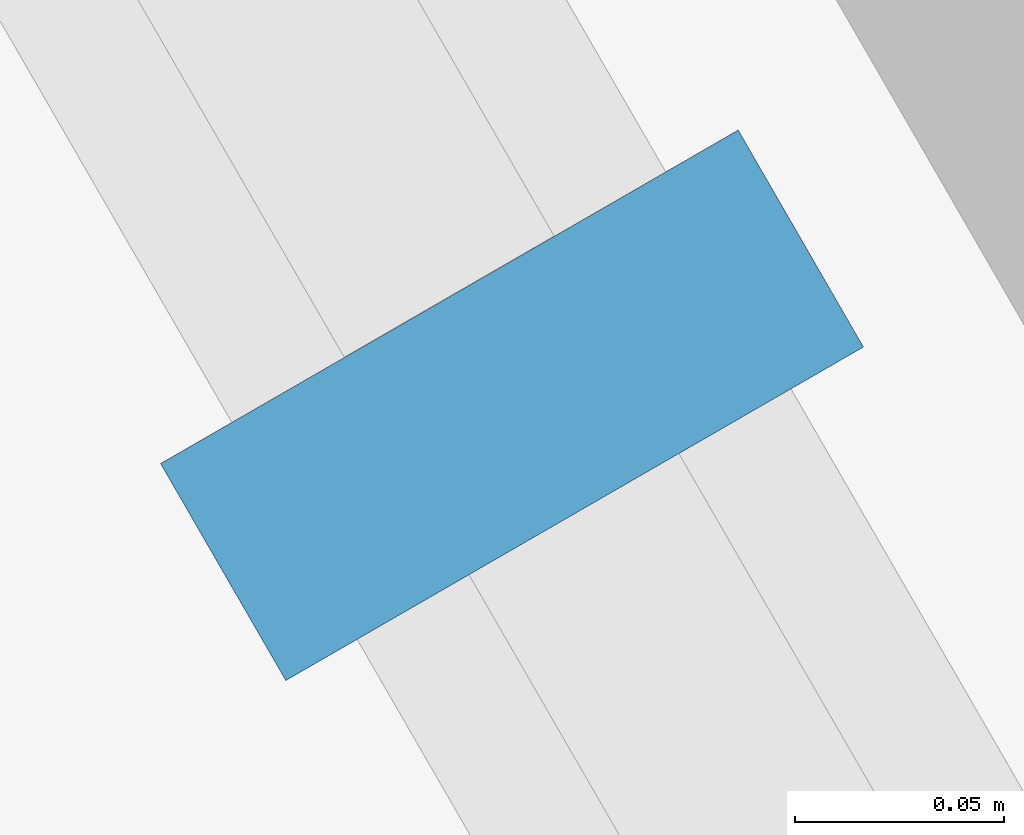
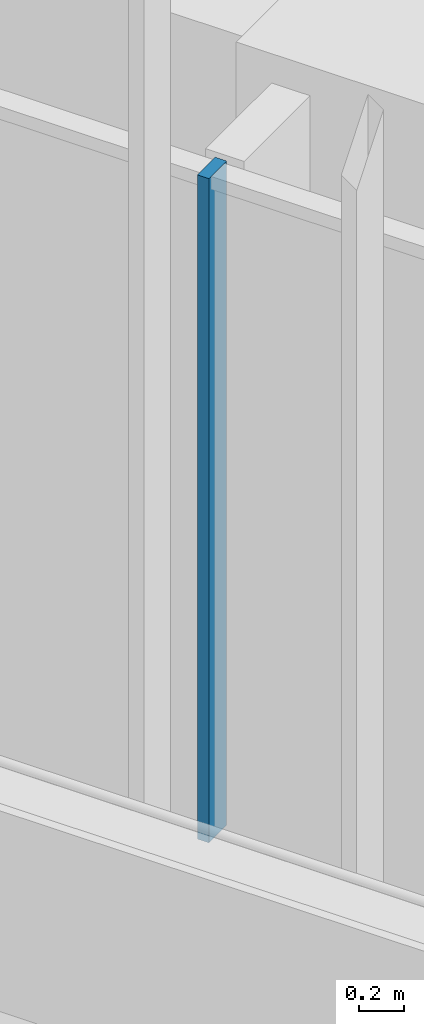
# One storey, part 20 of 127: 1 member, 1 element without a shape of its own.
"""IFC4 building model written with IfcOpenShell, lengths in metres."""

from ifc_helpers import new_model, si_unit, direction, frame, origin, origin_2d, place, context, subcontext, project, spatial, rectangle, extrude, material, material_profile, profile_set, type_object, element, aggregate, save


model = new_model("IFC4")

# Units and contexts
model_context = context("Model", 3, precision=1e-05, world=origin(), true_north=direction((0.0, 1.0)))
body_context = subcontext(model_context, "Body", "Model", "MODEL_VIEW")
ifc_project = project(units=[si_unit("LENGTHUNIT", "METRE"), si_unit("AREAUNIT", "SQUARE_METRE"), si_unit("VOLUMEUNIT", "CUBIC_METRE"), si_unit("PLANEANGLEUNIT", "RADIAN"), si_unit("MASSUNIT", "GRAM", prefix="KILO")], contexts=[model_context])

# Site, building, storey
site_placement = place(None, origin())
site = spatial("IfcSite", under=ifc_project, at=site_placement, CompositionType="ELEMENT")
building_placement = place(site_placement, origin())
building = spatial("IfcBuilding", under=site, at=building_placement, Name="Sandreach Pilgrim Tower", CompositionType="ELEMENT")
storey_placement = place(building_placement, frame((0.0, 0.0, 257.0)))
storey = spatial("IfcBuildingStorey", under=building, at=storey_placement, Name="L64", CompositionType="ELEMENT", Elevation=257.0)

# Curtain wall, member
ifc_material_1 = material(Name="Aluminium framed curtain wall", Category="aluminium")
curtain_wall_type = type_object("IfcCurtainWallType", Name="Suite tower curtain wall", PredefinedType="NOTDEFINED", material=ifc_material_1)
curtain_wall_placement = place(storey_placement, origin())
curtain_wall = element("IfcCurtainWall", 1, at=curtain_wall_placement, inside=storey, type_object=curtain_wall_type, Name="CW-4 L64 SW", PredefinedType="NOTDEFINED")
ifc_material_2 = material(Name="Aluminium extrusion", Category="aluminium")
ifc_material_profile = material_profile(ifc_material_2, rectangle(XDim=0.06005859375, YDim=0.159912109375, at=origin_2d()), Name="CW-4M 60X160")
ifc_profile_set = profile_set([ifc_material_profile], Name="Aluminium extrusion")
member_type = type_object("IfcMemberType", Name="CW-4 mullion", PredefinedType="MULLION", material=ifc_profile_set)
member_placement = place(storey_placement, frame((-19.886474609375, -5.208251953125, 0.0), z_axis=(0.0, 0.0, 1.0), x_axis=(-0.5, 0.866025403784, 0.0)))
member = element("IfcMember", 2, at=member_placement, type_object=member_type, Name="CW-4 mullion 7", PredefinedType="MULLION", context=body_context, shape_type="SweptSolid", body=[
    extrude(rectangle(XDim=0.06005859375, YDim=0.159912109375, at=origin_2d()), origin(), (0.0, 0.0, 1.0), 3.639892578125),
])
aggregate(curtain_wall, [member])

save(model, "model.ifc")
